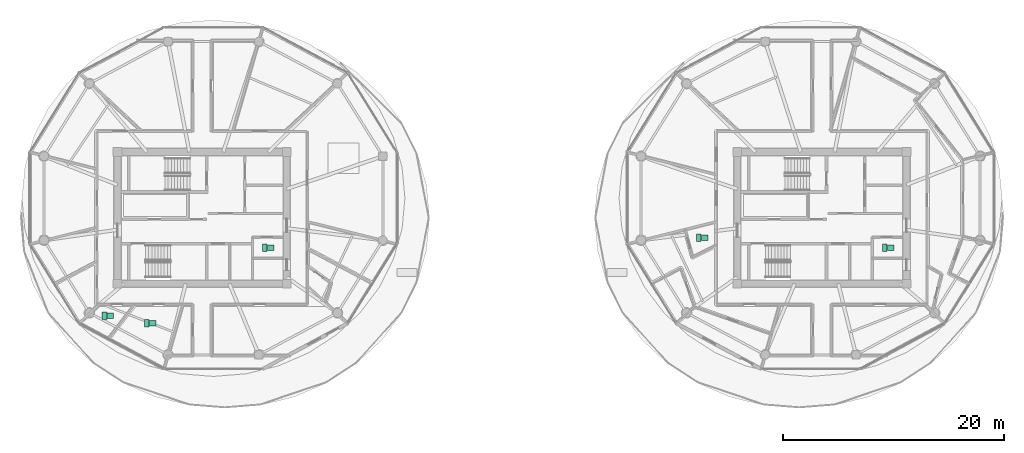
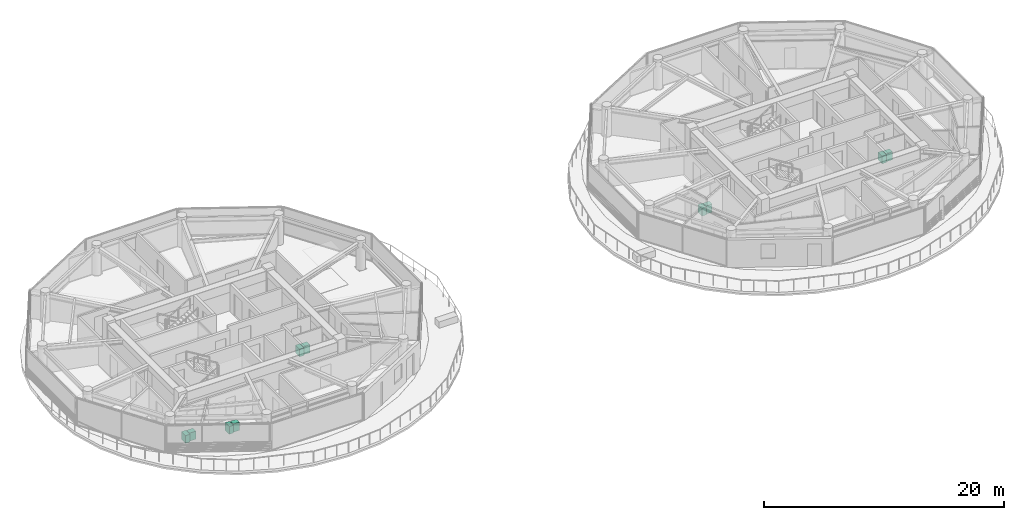
# One storey, part 27 of 28: 10 sanitary terminals.
"""IFC4 building model written with IfcOpenShell, lengths in metres."""

from ifc_helpers import new_model, si_unit, direction, frame, origin, origin_2d, place, context, subcontext, project, spatial, rectangle, extrude, source, transform, mapped, material, type_object, type_shapes, element, save


model = new_model("IFC4")

# Units and contexts
model_context = context("Model", 3, precision=1e-05, world=origin(), true_north=direction((0.0, 1.0)))
body_context = subcontext(model_context, "Body", "Model", "MODEL_VIEW")
ifc_project = project(units=[si_unit("LENGTHUNIT", "METRE"), si_unit("AREAUNIT", "SQUARE_METRE"), si_unit("VOLUMEUNIT", "CUBIC_METRE"), si_unit("PLANEANGLEUNIT", "RADIAN"), si_unit("MASSUNIT", "GRAM", prefix="KILO")], contexts=[model_context])

# Site, building, storey
site_placement = place(None, origin())
site = spatial("IfcSite", under=ifc_project, at=site_placement, CompositionType="ELEMENT")
building_placement = place(site_placement, origin())
building = spatial("IfcBuilding", under=site, at=building_placement, Name="Norrkilde Senior Care Towers", CompositionType="ELEMENT")
storey_placement = place(building_placement, frame((0.0, 0.0, 134.300048828125)))
storey = spatial("IfcBuildingStorey", under=building, at=storey_placement, Name="L41", CompositionType="ELEMENT", Elevation=134.300048828125)

# Sanitary terminals
ifc_material = material(Name="Porcelain Ceramic")
sanitary_terminal_type_1 = type_object("IfcSanitaryTerminalType", Name="Accessible Senior WC Suite", PredefinedType="TOILETPAN", material=ifc_material)
shared_shape_1 = source(origin(), body_context, "Body", "SweptSolid", [
    extrude(rectangle(XDim=0.419921875, YDim=0.679931640625, at=origin_2d()), origin(), (0.0, 0.0, 1.0), 0.780029296875),
])
type_shapes(sanitary_terminal_type_1, [shared_shape_1])
for number, where, z_axis, x_axis, name in (
    (1, (-22.324951171875, -2.715087890625, 0.0), (0.0, 0.0, 1.0), (1.0, 0.0, 0.0), "L41 Accessible WC Pan 0117"),
    (2, (-36.810546875, -8.840087890625, 0.0), (0.0, 0.0, 1.0), (1.0, 0.0, 0.0), "L41 Accessible WC Pan 0118"),
    (3, (-33.0048828125, -9.527587890625, 0.0), (0.0, 0.0, 1.0), (1.0, 0.0, 0.0), "L41 Accessible WC Pan 0119"),
    (4, (33.675048828125, -2.715087890625, 0.0), (0.0, 0.0, 1.0), (1.0, 0.0, 0.0), "L41 Accessible WC Pan 0120"),
    (5, (16.88671875, -1.793701171875, 0.0), (0.0, 0.0, 1.0), (1.0, 0.0, 0.0), "L41 Accessible WC Pan 0121"),
):
    element("IfcSanitaryTerminal", number, at=place(storey_placement, frame(where, z_axis=z_axis, x_axis=x_axis)), inside=storey, type_object=sanitary_terminal_type_1, Name=name, PredefinedType="TOILETPAN", context=body_context, shape_type="MappedRepresentation", body=[
        mapped(shared_shape_1, transform((0.0, 0.0, 0.0), x_axis=(1.0, 0.0, 0.0), y_axis=(0.0, 1.0, 0.0), z_axis=(0.0, 0.0, 1.0), scale=1.0)),
    ])
sanitary_terminal_type_2 = type_object("IfcSanitaryTerminalType", Name="Thermostatic Care Washbasin", PredefinedType="WASHHANDBASIN", material=ifc_material)
shared_shape_2 = source(origin(), body_context, "Body", "SweptSolid", [
    extrude(rectangle(XDim=0.60009765625, YDim=0.5, at=origin_2d()), origin(), (0.0, 0.0, 1.0), 0.820068359375),
])
type_shapes(sanitary_terminal_type_2, [shared_shape_2])
for number, where, z_axis, x_axis, name in (
    (6, (-21.794921875, -2.715087890625, 0.0), (0.0, 0.0, 1.0), (1.0, 0.0, 0.0), "L41 Accessible Washbasin 0117"),
    (7, (-36.280517578125, -8.840087890625, 0.0), (0.0, 0.0, 1.0), (1.0, 0.0, 0.0), "L41 Accessible Washbasin 0118"),
    (8, (-32.47509765625, -9.527587890625, 0.0), (0.0, 0.0, 1.0), (1.0, 0.0, 0.0), "L41 Accessible Washbasin 0119"),
    (9, (34.205078125, -2.715087890625, 0.0), (0.0, 0.0, 1.0), (1.0, 0.0, 0.0), "L41 Accessible Washbasin 0120"),
    (10, (17.41650390625, -1.793701171875, 0.0), (0.0, 0.0, 1.0), (1.0, 0.0, 0.0), "L41 Accessible Washbasin 0121"),
):
    element("IfcSanitaryTerminal", number, at=place(storey_placement, frame(where, z_axis=z_axis, x_axis=x_axis)), inside=storey, type_object=sanitary_terminal_type_2, Name=name, PredefinedType="WASHHANDBASIN", context=body_context, shape_type="MappedRepresentation", body=[
        mapped(shared_shape_2, transform((0.0, 0.0, 0.0), x_axis=(1.0, 0.0, 0.0), y_axis=(0.0, 1.0, 0.0), z_axis=(0.0, 0.0, 1.0), scale=1.0)),
    ])

save(model, "model.ifc")
